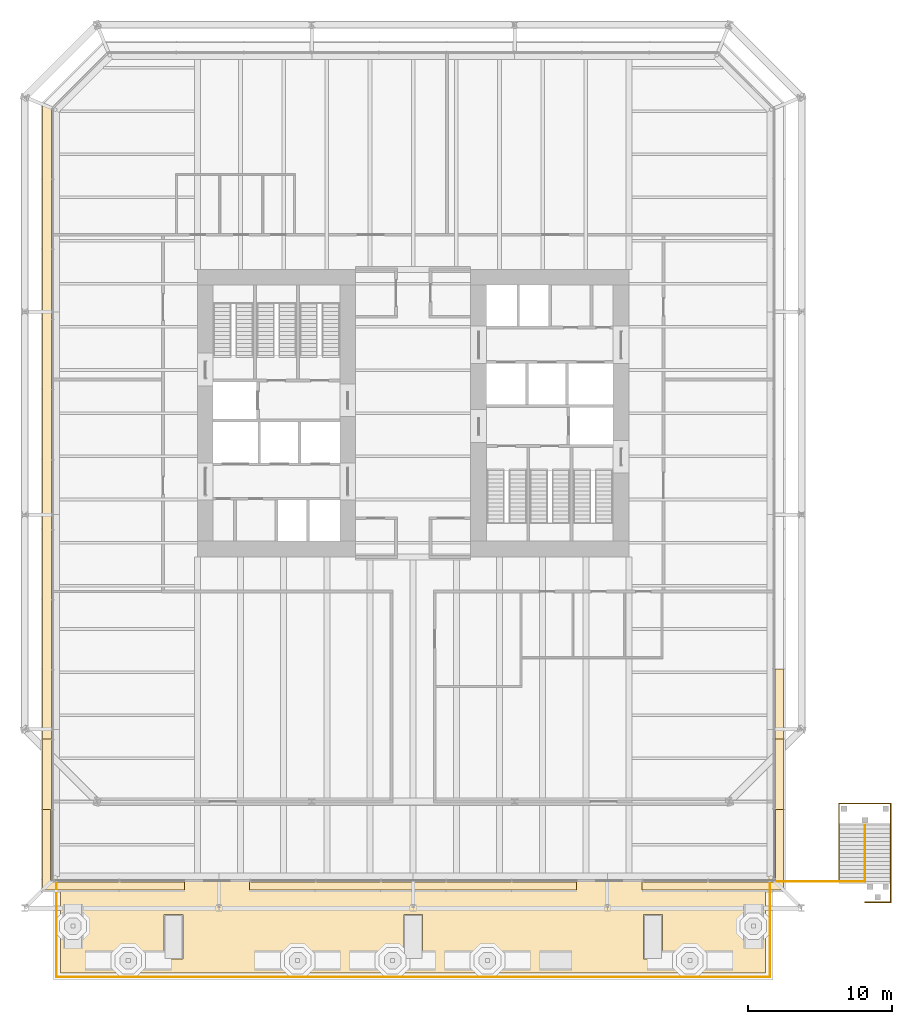
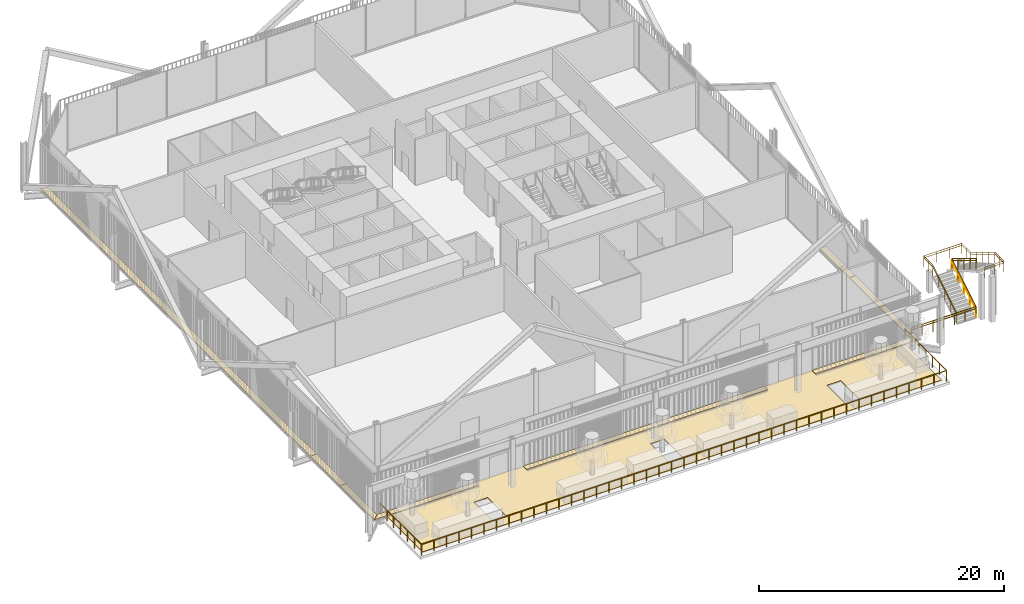
# One storey, part 24 of 26: 10 coverings, 9 railings.
"""IFC4 building model written with IfcOpenShell, lengths in metres."""

from ifc_helpers import new_model, si_unit, direction, frame, origin, origin_2d, place, context, subcontext, project, spatial, polyline, circle, outline, extrude, material, layer, layer_set, type_object, element, save


model = new_model("IFC4")

# Units and contexts
model_context = context("Model", 3, precision=1e-05, world=origin(), true_north=direction((0.0, 1.0)))
body_context = subcontext(model_context, "Body", "Model", "MODEL_VIEW")
ifc_project = project(units=[si_unit("LENGTHUNIT", "METRE"), si_unit("AREAUNIT", "SQUARE_METRE"), si_unit("VOLUMEUNIT", "CUBIC_METRE"), si_unit("PLANEANGLEUNIT", "RADIAN"), si_unit("MASSUNIT", "GRAM", prefix="KILO")], contexts=[model_context])

# Site, building, storey
site_placement = place(None, origin())
site = spatial("IfcSite", under=ifc_project, at=site_placement, CompositionType="ELEMENT")
building_placement = place(site_placement, origin())
building = spatial("IfcBuilding", under=site, at=building_placement, Name="Millrace Tower", CompositionType="ELEMENT")
storey_placement = place(building_placement, frame((0.0, 0.0, 11.300048828125)))
storey = spatial("IfcBuildingStorey", under=building, at=storey_placement, Name="L03", CompositionType="ELEMENT", Elevation=11.300048828125)

# Coverings
ifc_material_1 = material(Name="Steel ASTM A36", Category="steel")
ifc_layer_1 = layer(ifc_material_1, 0.050048828125)
ifc_layer_set_1 = layer_set([ifc_layer_1], Name="Steel ASTM A36")
covering_type_1 = type_object("IfcCoveringType", Name="CAVITY CATWALK steel grating", PredefinedType="FLOORING", material=ifc_layer_set_1)
placement_1 = place(storey_placement, frame((0.0, 0.0, 0.099853515625)))
element("IfcCovering", 1, at=placement_1, inside=storey, type_object=covering_type_1, Name="Cavity catwalk grating AW3-F01 L03 1", PredefinedType="FLOORING", context=body_context, shape_type="SweptSolid", body=[
    extrude(outline(polyline([(-25.75, -33.14990234375), (-15.9091796875, -33.14990234375), (-15.9091796875, -32.60009765625), (-25.199951171875, -32.60009765625), (-25.75, -33.14990234375)])), origin(), (0.0, 0.0, 1.0), 0.050048828125),
])
element("IfcCovering", 2, at=placement_1, inside=storey, type_object=covering_type_1, Name="Cavity catwalk grating AW3-F01 L03 2", PredefinedType="FLOORING", context=body_context, shape_type="SweptSolid", body=[
    extrude(outline(polyline([(-11.363525390625, -33.14990234375), (11.363525390625, -33.14990234375), (11.363525390625, -32.60009765625), (-11.363525390625, -32.60009765625), (-11.363525390625, -33.14990234375)])), origin(), (0.0, 0.0, 1.0), 0.050048828125),
])
element("IfcCovering", 3, at=placement_1, inside=storey, type_object=covering_type_1, Name="Cavity catwalk grating AW3-F01 L03 3", PredefinedType="FLOORING", context=body_context, shape_type="SweptSolid", body=[
    extrude(outline(polyline([(15.9091796875, -33.14990234375), (25.75, -33.14990234375), (25.199951171875, -32.60009765625), (15.9091796875, -32.60009765625), (15.9091796875, -33.14990234375)])), origin(), (0.0, 0.0, 1.0), 0.050048828125),
])
element("IfcCovering", 4, at=placement_1, inside=storey, type_object=covering_type_1, Name="Cavity catwalk grating AW3-F02 L03 1", PredefinedType="FLOORING", context=body_context, shape_type="SweptSolid", body=[
    extrude(outline(polyline([(25.75, -33.14990234375), (25.75, -27.53173828125), (25.199951171875, -27.53173828125), (25.199951171875, -32.60009765625), (25.75, -33.14990234375)])), origin(), (0.0, 0.0, 1.0), 0.050048828125),
])
element("IfcCovering", 5, at=placement_1, inside=storey, type_object=covering_type_1, Name="Cavity catwalk grating AW3-F02 L03 2", PredefinedType="FLOORING", context=body_context, shape_type="SweptSolid", body=[
    extrude(outline(polyline([(25.75, -27.53173828125), (25.75, -22.66357421875), (25.14990234375, -22.66357421875), (25.14990234375, -27.53173828125), (25.75, -27.53173828125)])), origin(), (0.0, 0.0, 1.0), 0.050048828125),
])
element("IfcCovering", 6, at=placement_1, inside=storey, type_object=covering_type_1, Name="Cavity catwalk grating AW3-F02 L03 3", PredefinedType="FLOORING", context=body_context, shape_type="SweptSolid", body=[
    extrude(outline(polyline([(25.75, -22.66357421875), (25.75, -17.79541015625), (25.14990234375, -17.79541015625), (25.14990234375, -22.66357421875), (25.75, -22.66357421875)])), origin(), (0.0, 0.0, 1.0), 0.050048828125),
])
element("IfcCovering", 7, at=placement_1, inside=storey, type_object=covering_type_1, Name="Cavity catwalk grating AW3-F06 L03 1", PredefinedType="FLOORING", context=body_context, shape_type="SweptSolid", body=[
    extrude(outline(polyline([(-25.75, 21.460693359375), (-25.75, -22.66357421875), (-25.14990234375, -22.66357421875), (-25.14990234375, 21.212158203125), (-25.75, 21.460693359375)])), origin(), (0.0, 0.0, 1.0), 0.050048828125),
])
element("IfcCovering", 8, at=placement_1, inside=storey, type_object=covering_type_1, Name="Cavity catwalk grating AW3-F06 L03 2", PredefinedType="FLOORING", context=body_context, shape_type="SweptSolid", body=[
    extrude(outline(polyline([(-25.75, -22.66357421875), (-25.75, -27.53173828125), (-25.14990234375, -27.53173828125), (-25.14990234375, -22.66357421875), (-25.75, -22.66357421875)])), origin(), (0.0, 0.0, 1.0), 0.050048828125),
])
element("IfcCovering", 9, at=placement_1, inside=storey, type_object=covering_type_1, Name="Cavity catwalk grating AW3-F06 L03 3", PredefinedType="FLOORING", context=body_context, shape_type="SweptSolid", body=[
    extrude(outline(polyline([(-25.75, -27.53173828125), (-25.75, -33.14990234375), (-25.199951171875, -32.60009765625), (-25.199951171875, -27.53173828125), (-25.75, -27.53173828125)])), origin(), (0.0, 0.0, 1.0), 0.050048828125),
])

# Railings
ifc_material_2 = material(Name="Stainless steel ASTM A240 type 316", Category="steel")
railing_type_1 = type_object("IfcRailingType", Name="Public stair guard 1100", PredefinedType="GUARDRAIL", material=ifc_material_2)
placement_2 = place(storey_placement, frame((25.300048828125, -32.56005859375, 0.0)))
element("IfcRailing", 10, at=placement_2, inside=storey, type_object=railing_type_1, Name="Public stair guard GD-STAIR-LBN", PredefinedType="GUARDRAIL", context=body_context, shape_type="SweptSolid", body=[
    extrude(circle(Radius=0.02392578125, at=origin_2d()), frame((0.0, 0.0, 1.076171875), z_axis=(1.0, 0.0, 0.0), x_axis=(0.0, 1.0, 0.0)), (0.0, 0.0, 1.0), 6.099853515625),
    extrude(circle(Radius=0.02099609375, at=origin_2d()), origin(), (0.0, 0.0, 1.0), 1.052001953125),
    extrude(circle(Radius=0.02099609375, at=origin_2d()), frame((1.0166015625, 0.0, 0.0)), (0.0, 0.0, 1.0), 1.052001953125),
    extrude(circle(Radius=0.02099609375, at=origin_2d()), frame((2.033203125, 0.0, 0.0)), (0.0, 0.0, 1.0), 1.052001953125),
    extrude(circle(Radius=0.02099609375, at=origin_2d()), frame((3.0498046875, 0.0, 0.0)), (0.0, 0.0, 1.0), 1.052001953125),
    extrude(circle(Radius=0.02099609375, at=origin_2d()), frame((4.066650390625, 0.0, 0.0)), (0.0, 0.0, 1.0), 1.052001953125),
    extrude(circle(Radius=0.02099609375, at=origin_2d()), frame((5.083251953125, 0.0, 0.0)), (0.0, 0.0, 1.0), 1.052001953125),
    extrude(circle(Radius=0.02099609375, at=origin_2d()), frame((6.099853515625, 0.0, 0.0)), (0.0, 0.0, 1.0), 1.052001953125),
])
placement_3 = place(storey_placement, frame((29.60009765625, -32.56005859375, 0.0)))
element("IfcRailing", 11, at=placement_3, inside=storey, type_object=railing_type_1, Name="Public stair guard GD-STAIR-C1", PredefinedType="GUARDRAIL", context=body_context, shape_type="SweptSolid", body=[
    extrude(circle(Radius=0.02392578125, at=origin_2d()), frame((0.0, 0.0, 1.076171875), z_axis=(0.0, 0.852870612257, 0.522122321634), x_axis=(-1.0, 0.0, 0.0)), (0.0, 0.0, 1.0), 4.596435546875),
    extrude(circle(Radius=0.02392578125, at=origin_2d()), frame((0.0, 3.920166015625, 3.47607421875), z_axis=(0.0, 1.0, 0.0), x_axis=(-1.0, 0.0, 0.0)), (0.0, 0.0, 1.0), 1.5),
    extrude(circle(Radius=0.02392578125, at=origin_2d()), frame((0.0, 5.420166015625, 3.47607421875), z_axis=(1.0, 0.0, 0.0), x_axis=(0.0, 1.0, 0.0)), (0.0, 0.0, 1.0), 3.599853515625),
    extrude(circle(Radius=0.02392578125, at=origin_2d()), frame((3.599853515625, 5.420166015625, 3.47607421875), z_axis=(0.0, -1.0, 0.0), x_axis=(1.0, 0.0, 0.0)), (0.0, 0.0, 1.0), 1.5),
    extrude(circle(Radius=0.02392578125, at=origin_2d()), frame((3.599853515625, 3.920166015625, 3.47607421875), z_axis=(0.0, -0.852846959695, 0.522160955394), x_axis=(1.0, 0.0, 0.0)), (0.0, 0.0, 1.0), 4.5966796875),
    extrude(circle(Radius=0.02392578125, at=origin_2d()), frame((3.599853515625, 0.0, 5.8759765625), z_axis=(0.0, -1.0, 0.0), x_axis=(1.0, 0.0, 0.0)), (0.0, 0.0, 1.0), 1.43994140625),
    extrude(circle(Radius=0.02392578125, at=origin_2d()), frame((3.599853515625, -1.43994140625, 5.8759765625), z_axis=(-1.0, 0.0, 0.0), x_axis=(0.0, -1.0, 0.0)), (0.0, 0.0, 1.0), 1.800048828125),
    extrude(circle(Radius=0.02099609375, at=origin_2d()), origin(), (0.0, 0.0, 1.0), 1.052001953125),
    extrude(circle(Radius=0.02099609375, at=origin_2d()), frame((0.0, 0.97998046875, 0.60009765625)), (0.0, 0.0, 1.0), 1.052001953125),
    extrude(circle(Radius=0.02099609375, at=origin_2d()), frame((0.0, 1.9599609375, 1.199951171875)), (0.0, 0.0, 1.0), 1.052001953125),
    extrude(circle(Radius=0.02099609375, at=origin_2d()), frame((0.0, 2.940185546875, 1.7998046875)), (0.0, 0.0, 1.0), 1.052001953125),
    extrude(circle(Radius=0.02099609375, at=origin_2d()), frame((0.0, 3.920166015625, 2.39990234375)), (0.0, 0.0, 1.0), 1.052001953125),
    extrude(circle(Radius=0.02099609375, at=origin_2d()), frame((0.0, 4.670166015625, 2.39990234375)), (0.0, 0.0, 1.0), 1.052001953125),
    extrude(circle(Radius=0.02099609375, at=origin_2d()), frame((0.0, 5.420166015625, 2.39990234375)), (0.0, 0.0, 1.0), 1.052001953125),
    extrude(circle(Radius=0.02099609375, at=origin_2d()), frame((1.199951171875, 5.420166015625, 2.39990234375)), (0.0, 0.0, 1.0), 1.052001953125),
    extrude(circle(Radius=0.02099609375, at=origin_2d()), frame((2.39990234375, 5.420166015625, 2.39990234375)), (0.0, 0.0, 1.0), 1.052001953125),
    extrude(circle(Radius=0.02099609375, at=origin_2d()), frame((3.599853515625, 5.420166015625, 2.39990234375)), (0.0, 0.0, 1.0), 1.052001953125),
    extrude(circle(Radius=0.02099609375, at=origin_2d()), frame((3.599853515625, 4.670166015625, 2.39990234375)), (0.0, 0.0, 1.0), 1.052001953125),
    extrude(circle(Radius=0.02099609375, at=origin_2d()), frame((3.599853515625, 3.920166015625, 2.39990234375)), (0.0, 0.0, 1.0), 1.052001953125),
    extrude(circle(Radius=0.02099609375, at=origin_2d()), frame((3.599853515625, 2.940185546875, 3.0)), (0.0, 0.0, 1.0), 1.052001953125),
    extrude(circle(Radius=0.02099609375, at=origin_2d()), frame((3.599853515625, 1.9599609375, 3.60009765625)), (0.0, 0.0, 1.0), 1.052001953125),
    extrude(circle(Radius=0.02099609375, at=origin_2d()), frame((3.599853515625, 0.97998046875, 4.199951171875)), (0.0, 0.0, 1.0), 1.052001953125),
    extrude(circle(Radius=0.02099609375, at=origin_2d()), frame((3.599853515625, 0.0, 4.800048828125)), (0.0, 0.0, 1.0), 1.052001953125),
    extrude(circle(Radius=0.02099609375, at=origin_2d()), frame((3.599853515625, -0.719970703125, 4.800048828125)), (0.0, 0.0, 1.0), 1.052001953125),
    extrude(circle(Radius=0.02099609375, at=origin_2d()), frame((3.599853515625, -1.43994140625, 4.800048828125)), (0.0, 0.0, 1.0), 1.052001953125),
    extrude(circle(Radius=0.02099609375, at=origin_2d()), frame((2.69970703125, -1.43994140625, 4.800048828125)), (0.0, 0.0, 1.0), 1.052001953125),
    extrude(circle(Radius=0.02099609375, at=origin_2d()), frame((1.7998046875, -1.43994140625, 4.800048828125)), (0.0, 0.0, 1.0), 1.052001953125),
])
placement_4 = place(storey_placement, frame((31.39990234375, -32.56005859375, 0.0)))
element("IfcRailing", 12, at=placement_4, inside=storey, type_object=railing_type_1, Name="Public stair guard GD-STAIR-CD", PredefinedType="GUARDRAIL", context=body_context, shape_type="SweptSolid", body=[
    extrude(circle(Radius=0.02392578125, at=origin_2d()), frame((0.0, 0.0, 1.076171875), z_axis=(0.0, 0.852870612257, 0.522122321634), x_axis=(-1.0, 0.0, 0.0)), (0.0, 0.0, 1.0), 4.596435546875),
    extrude(circle(Radius=0.02099609375, at=origin_2d()), origin(), (0.0, 0.0, 1.0), 1.052001953125),
    extrude(circle(Radius=0.02099609375, at=origin_2d()), frame((0.0, 0.97998046875, 0.60009765625)), (0.0, 0.0, 1.0), 1.052001953125),
    extrude(circle(Radius=0.02099609375, at=origin_2d()), frame((0.0, 1.9599609375, 1.199951171875)), (0.0, 0.0, 1.0), 1.052001953125),
    extrude(circle(Radius=0.02099609375, at=origin_2d()), frame((0.0, 2.940185546875, 1.7998046875)), (0.0, 0.0, 1.0), 1.052001953125),
    extrude(circle(Radius=0.02099609375, at=origin_2d()), frame((0.0, 3.920166015625, 2.39990234375)), (0.0, 0.0, 1.0), 1.052001953125),
])
placement_5 = place(storey_placement, frame((31.39990234375, -28.639892578125, 2.39990234375)))
element("IfcRailing", 13, at=placement_5, inside=storey, type_object=railing_type_1, Name="Public stair guard GD-STAIR-C2", PredefinedType="GUARDRAIL", context=body_context, shape_type="SweptSolid", body=[
    extrude(circle(Radius=0.02392578125, at=origin_2d()), frame((0.0, 0.0, 1.076171875), z_axis=(0.0, -0.852846959695, 0.522160955394), x_axis=(1.0, 0.0, 0.0)), (0.0, 0.0, 1.0), 4.5966796875),
    extrude(circle(Radius=0.02099609375, at=origin_2d()), origin(), (0.0, 0.0, 1.0), 1.052001953125),
    extrude(circle(Radius=0.02099609375, at=origin_2d()), frame((0.0, -0.97998046875, 0.60009765625)), (0.0, 0.0, 1.0), 1.052001953125),
    extrude(circle(Radius=0.02099609375, at=origin_2d()), frame((0.0, -1.9599609375, 1.2001953125)), (0.0, 0.0, 1.0), 1.052001953125),
    extrude(circle(Radius=0.02099609375, at=origin_2d()), frame((0.0, -2.940185546875, 1.800048828125)), (0.0, 0.0, 1.0), 1.052001953125),
    extrude(circle(Radius=0.02099609375, at=origin_2d()), frame((0.0, -3.920166015625, 2.400146484375)), (0.0, 0.0, 1.0), 1.052001953125),
])
ifc_material_3 = material(Name="Stainless steel ASTM A240 type 316", Category="steel")
railing_type_2 = type_object("IfcRailingType", Name="Public stair handrail 900", PredefinedType="HANDRAIL", material=ifc_material_3)
element("IfcRailing", 14, at=placement_2, inside=storey, type_object=railing_type_2, Name="Public stair handrail HR-STAIR-LBN", PredefinedType="HANDRAIL", context=body_context, shape_type="SweptSolid", body=[
    extrude(circle(Radius=0.02392578125, at=origin_2d()), frame((0.0, 0.0, 0.8759765625), z_axis=(1.0, 0.0, 0.0), x_axis=(0.0, 1.0, 0.0)), (0.0, 0.0, 1.0), 6.099853515625),
    extrude(circle(Radius=0.02099609375, at=origin_2d()), origin(), (0.0, 0.0, 1.0), 0.851806640625),
    extrude(circle(Radius=0.02099609375, at=origin_2d()), frame((1.0166015625, 0.0, 0.0)), (0.0, 0.0, 1.0), 0.851806640625),
    extrude(circle(Radius=0.02099609375, at=origin_2d()), frame((2.033203125, 0.0, 0.0)), (0.0, 0.0, 1.0), 0.851806640625),
    extrude(circle(Radius=0.02099609375, at=origin_2d()), frame((3.0498046875, 0.0, 0.0)), (0.0, 0.0, 1.0), 0.851806640625),
    extrude(circle(Radius=0.02099609375, at=origin_2d()), frame((4.066650390625, 0.0, 0.0)), (0.0, 0.0, 1.0), 0.851806640625),
    extrude(circle(Radius=0.02099609375, at=origin_2d()), frame((5.083251953125, 0.0, 0.0)), (0.0, 0.0, 1.0), 0.851806640625),
    extrude(circle(Radius=0.02099609375, at=origin_2d()), frame((6.099853515625, 0.0, 0.0)), (0.0, 0.0, 1.0), 0.851806640625),
])
element("IfcRailing", 15, at=placement_3, inside=storey, type_object=railing_type_2, Name="Public stair handrail HR-STAIR-C1", PredefinedType="HANDRAIL", context=body_context, shape_type="SweptSolid", body=[
    extrude(circle(Radius=0.02392578125, at=origin_2d()), frame((0.0, 0.0, 0.8759765625), z_axis=(0.0, 0.852870612257, 0.522122321634), x_axis=(-1.0, 0.0, 0.0)), (0.0, 0.0, 1.0), 4.596435546875),
    extrude(circle(Radius=0.02392578125, at=origin_2d()), frame((0.0, 3.920166015625, 3.27587890625), z_axis=(0.0, 1.0, 0.0), x_axis=(-1.0, 0.0, 0.0)), (0.0, 0.0, 1.0), 1.5),
    extrude(circle(Radius=0.02392578125, at=origin_2d()), frame((0.0, 5.420166015625, 3.27587890625), z_axis=(1.0, 0.0, 0.0), x_axis=(0.0, 1.0, 0.0)), (0.0, 0.0, 1.0), 3.599853515625),
    extrude(circle(Radius=0.02392578125, at=origin_2d()), frame((3.599853515625, 5.420166015625, 3.27587890625), z_axis=(0.0, -1.0, 0.0), x_axis=(1.0, 0.0, 0.0)), (0.0, 0.0, 1.0), 1.5),
    extrude(circle(Radius=0.02392578125, at=origin_2d()), frame((3.599853515625, 3.920166015625, 3.27587890625), z_axis=(0.0, -0.852846959695, 0.522160955394), x_axis=(1.0, 0.0, 0.0)), (0.0, 0.0, 1.0), 4.5966796875),
    extrude(circle(Radius=0.02392578125, at=origin_2d()), frame((3.599853515625, 0.0, 5.67578125), z_axis=(0.0, -1.0, 0.0), x_axis=(1.0, 0.0, 0.0)), (0.0, 0.0, 1.0), 1.43994140625),
    extrude(circle(Radius=0.02392578125, at=origin_2d()), frame((3.599853515625, -1.43994140625, 5.67578125), z_axis=(-1.0, 0.0, 0.0), x_axis=(0.0, -1.0, 0.0)), (0.0, 0.0, 1.0), 1.800048828125),
    extrude(circle(Radius=0.02099609375, at=origin_2d()), origin(), (0.0, 0.0, 1.0), 0.851806640625),
    extrude(circle(Radius=0.02099609375, at=origin_2d()), frame((0.0, 0.97998046875, 0.60009765625)), (0.0, 0.0, 1.0), 0.851806640625),
    extrude(circle(Radius=0.02099609375, at=origin_2d()), frame((0.0, 1.9599609375, 1.199951171875)), (0.0, 0.0, 1.0), 0.851806640625),
    extrude(circle(Radius=0.02099609375, at=origin_2d()), frame((0.0, 2.940185546875, 1.7998046875)), (0.0, 0.0, 1.0), 0.851806640625),
    extrude(circle(Radius=0.02099609375, at=origin_2d()), frame((0.0, 3.920166015625, 2.39990234375)), (0.0, 0.0, 1.0), 0.851806640625),
    extrude(circle(Radius=0.02099609375, at=origin_2d()), frame((0.0, 4.670166015625, 2.39990234375)), (0.0, 0.0, 1.0), 0.851806640625),
    extrude(circle(Radius=0.02099609375, at=origin_2d()), frame((0.0, 5.420166015625, 2.39990234375)), (0.0, 0.0, 1.0), 0.851806640625),
    extrude(circle(Radius=0.02099609375, at=origin_2d()), frame((1.199951171875, 5.420166015625, 2.39990234375)), (0.0, 0.0, 1.0), 0.851806640625),
    extrude(circle(Radius=0.02099609375, at=origin_2d()), frame((2.39990234375, 5.420166015625, 2.39990234375)), (0.0, 0.0, 1.0), 0.851806640625),
    extrude(circle(Radius=0.02099609375, at=origin_2d()), frame((3.599853515625, 5.420166015625, 2.39990234375)), (0.0, 0.0, 1.0), 0.851806640625),
    extrude(circle(Radius=0.02099609375, at=origin_2d()), frame((3.599853515625, 4.670166015625, 2.39990234375)), (0.0, 0.0, 1.0), 0.851806640625),
    extrude(circle(Radius=0.02099609375, at=origin_2d()), frame((3.599853515625, 3.920166015625, 2.39990234375)), (0.0, 0.0, 1.0), 0.851806640625),
    extrude(circle(Radius=0.02099609375, at=origin_2d()), frame((3.599853515625, 2.940185546875, 3.0)), (0.0, 0.0, 1.0), 0.851806640625),
    extrude(circle(Radius=0.02099609375, at=origin_2d()), frame((3.599853515625, 1.9599609375, 3.60009765625)), (0.0, 0.0, 1.0), 0.851806640625),
    extrude(circle(Radius=0.02099609375, at=origin_2d()), frame((3.599853515625, 0.97998046875, 4.199951171875)), (0.0, 0.0, 1.0), 0.851806640625),
    extrude(circle(Radius=0.02099609375, at=origin_2d()), frame((3.599853515625, 0.0, 4.800048828125)), (0.0, 0.0, 1.0), 0.851806640625),
    extrude(circle(Radius=0.02099609375, at=origin_2d()), frame((3.599853515625, -0.719970703125, 4.800048828125)), (0.0, 0.0, 1.0), 0.851806640625),
    extrude(circle(Radius=0.02099609375, at=origin_2d()), frame((3.599853515625, -1.43994140625, 4.800048828125)), (0.0, 0.0, 1.0), 0.851806640625),
    extrude(circle(Radius=0.02099609375, at=origin_2d()), frame((2.69970703125, -1.43994140625, 4.800048828125)), (0.0, 0.0, 1.0), 0.851806640625),
    extrude(circle(Radius=0.02099609375, at=origin_2d()), frame((1.7998046875, -1.43994140625, 4.800048828125)), (0.0, 0.0, 1.0), 0.851806640625),
])
element("IfcRailing", 16, at=placement_4, inside=storey, type_object=railing_type_2, Name="Public stair handrail HR-STAIR-CD", PredefinedType="HANDRAIL", context=body_context, shape_type="SweptSolid", body=[
    extrude(circle(Radius=0.02392578125, at=origin_2d()), frame((0.0, 0.0, 0.8759765625), z_axis=(0.0, 0.852870612257, 0.522122321634), x_axis=(-1.0, 0.0, 0.0)), (0.0, 0.0, 1.0), 4.596435546875),
    extrude(circle(Radius=0.02099609375, at=origin_2d()), origin(), (0.0, 0.0, 1.0), 0.851806640625),
    extrude(circle(Radius=0.02099609375, at=origin_2d()), frame((0.0, 0.97998046875, 0.60009765625)), (0.0, 0.0, 1.0), 0.851806640625),
    extrude(circle(Radius=0.02099609375, at=origin_2d()), frame((0.0, 1.9599609375, 1.199951171875)), (0.0, 0.0, 1.0), 0.851806640625),
    extrude(circle(Radius=0.02099609375, at=origin_2d()), frame((0.0, 2.940185546875, 1.7998046875)), (0.0, 0.0, 1.0), 0.851806640625),
    extrude(circle(Radius=0.02099609375, at=origin_2d()), frame((0.0, 3.920166015625, 2.39990234375)), (0.0, 0.0, 1.0), 0.851806640625),
])
element("IfcRailing", 17, at=placement_5, inside=storey, type_object=railing_type_2, Name="Public stair handrail HR-STAIR-C2", PredefinedType="HANDRAIL", context=body_context, shape_type="SweptSolid", body=[
    extrude(circle(Radius=0.02392578125, at=origin_2d()), frame((0.0, 0.0, 0.8759765625), z_axis=(0.0, -0.852846959695, 0.522160955394), x_axis=(1.0, 0.0, 0.0)), (0.0, 0.0, 1.0), 4.5966796875),
    extrude(circle(Radius=0.02099609375, at=origin_2d()), origin(), (0.0, 0.0, 1.0), 0.851806640625),
    extrude(circle(Radius=0.02099609375, at=origin_2d()), frame((0.0, -0.97998046875, 0.60009765625)), (0.0, 0.0, 1.0), 0.851806640625),
    extrude(circle(Radius=0.02099609375, at=origin_2d()), frame((0.0, -1.9599609375, 1.2001953125)), (0.0, 0.0, 1.0), 0.851806640625),
    extrude(circle(Radius=0.02099609375, at=origin_2d()), frame((0.0, -2.940185546875, 1.800048828125)), (0.0, 0.0, 1.0), 0.851806640625),
    extrude(circle(Radius=0.02099609375, at=origin_2d()), frame((0.0, -3.920166015625, 2.400146484375)), (0.0, 0.0, 1.0), 0.851806640625),
])

# Covering
ifc_material_4 = material(Name="Bituminous roofing membrane on rigid insulation")
ifc_layer_2 = layer(ifc_material_4, 0.0400390625)
ifc_layer_set_2 = layer_set([ifc_layer_2], Name="Bituminous roofing membrane on rigid insulation")
covering_type_2 = type_object("IfcCoveringType", Name="Roofing membrane and insulation 40 mm", PredefinedType="ROOFING", material=ifc_layer_set_2)
covering_10_placement = place(storey_placement, frame((0.0, 0.0, -0.0400390625)))
element("IfcCovering", 18, at=covering_10_placement, inside=storey, type_object=covering_type_2, Name="Roofing membrane and insulation CT-L02-1", PredefinedType="ROOFING", context=body_context, shape_type="SweptSolid", body=[
    extrude(outline(polyline([(-24.5, -38.89990234375), (24.5, -38.89990234375), (24.5, -32.39990234375), (-24.5, -32.39990234375), (-24.5, -38.89990234375)]), holes=[polyline([(-17.316650390625, -37.949951171875), (-16.0166015625, -37.949951171875), (-16.0166015625, -34.85009765625), (-17.316650390625, -34.85009765625), (-17.316650390625, -37.949951171875)]), polyline([(-0.64990234375, -37.949951171875), (0.64990234375, -37.949951171875), (0.64990234375, -34.85009765625), (-0.64990234375, -34.85009765625), (-0.64990234375, -37.949951171875)]), polyline([(16.0166015625, -37.949951171875), (17.316650390625, -37.949951171875), (17.316650390625, -34.85009765625), (16.0166015625, -34.85009765625), (16.0166015625, -37.949951171875)])]), origin(), (0.0, 0.0, 1.0), 0.0400390625),
])

# Railing
ifc_material_5 = material(Name="Stainless steel ASTM A240 type 316", Category="steel")
railing_type_3 = type_object("IfcRailingType", Name="Terrace guard 1100", PredefinedType="GUARDRAIL", material=ifc_material_5)
railing_9_placement = place(storey_placement, frame((-24.800048828125, -32.39990234375, -0.0400390625)))
element("IfcRailing", 19, at=railing_9_placement, inside=storey, type_object=railing_type_3, Name="Terrace guard CT-L02-1 1", PredefinedType="GUARDRAIL", context=body_context, shape_type="SweptSolid", body=[
    extrude(circle(Radius=0.02392578125, at=origin_2d()), frame((0.0, 0.0, 1.076171875), z_axis=(0.0, -1.0, 0.0), x_axis=(1.0, 0.0, 0.0)), (0.0, 0.0, 1.0), 6.800048828125),
    extrude(circle(Radius=0.02392578125, at=origin_2d()), frame((0.0, -6.800048828125, 1.076171875), z_axis=(1.0, 0.0, 0.0), x_axis=(0.0, 1.0, 0.0)), (0.0, 0.0, 1.0), 49.60009765625),
    extrude(circle(Radius=0.02392578125, at=origin_2d()), frame((49.60009765625, -6.800048828125, 1.076171875), z_axis=(0.0, 1.0, 0.0), x_axis=(-1.0, 0.0, 0.0)), (0.0, 0.0, 1.0), 6.800048828125),
    extrude(circle(Radius=0.02099609375, at=origin_2d()), origin(), (0.0, 0.0, 1.0), 1.052001953125),
    extrude(circle(Radius=0.02099609375, at=origin_2d()), frame((0.0, -1.13330078125, 0.0)), (0.0, 0.0, 1.0), 1.052001953125),
    extrude(circle(Radius=0.02099609375, at=origin_2d()), frame((0.0, -2.2666015625, 0.0)), (0.0, 0.0, 1.0), 1.052001953125),
    extrude(circle(Radius=0.02099609375, at=origin_2d()), frame((0.0, -3.39990234375, 0.0)), (0.0, 0.0, 1.0), 1.052001953125),
    extrude(circle(Radius=0.02099609375, at=origin_2d()), frame((0.0, -4.533447265625, 0.0)), (0.0, 0.0, 1.0), 1.052001953125),
    extrude(circle(Radius=0.02099609375, at=origin_2d()), frame((0.0, -5.666748046875, 0.0)), (0.0, 0.0, 1.0), 1.052001953125),
    extrude(circle(Radius=0.02099609375, at=origin_2d()), frame((0.0, -6.800048828125, 0.0)), (0.0, 0.0, 1.0), 1.052001953125),
    extrude(circle(Radius=0.02099609375, at=origin_2d()), frame((1.180908203125, -6.800048828125, 0.0)), (0.0, 0.0, 1.0), 1.052001953125),
    extrude(circle(Radius=0.02099609375, at=origin_2d()), frame((2.36181640625, -6.800048828125, 0.0)), (0.0, 0.0, 1.0), 1.052001953125),
    extrude(circle(Radius=0.02099609375, at=origin_2d()), frame((3.54296875, -6.800048828125, 0.0)), (0.0, 0.0, 1.0), 1.052001953125),
    extrude(circle(Radius=0.02099609375, at=origin_2d()), frame((4.723876953125, -6.800048828125, 0.0)), (0.0, 0.0, 1.0), 1.052001953125),
    extrude(circle(Radius=0.02099609375, at=origin_2d()), frame((5.90478515625, -6.800048828125, 0.0)), (0.0, 0.0, 1.0), 1.052001953125),
    extrude(circle(Radius=0.02099609375, at=origin_2d()), frame((7.085693359375, -6.800048828125, 0.0)), (0.0, 0.0, 1.0), 1.052001953125),
    extrude(circle(Radius=0.02099609375, at=origin_2d()), frame((8.2666015625, -6.800048828125, 0.0)), (0.0, 0.0, 1.0), 1.052001953125),
    extrude(circle(Radius=0.02099609375, at=origin_2d()), frame((9.44775390625, -6.800048828125, 0.0)), (0.0, 0.0, 1.0), 1.052001953125),
    extrude(circle(Radius=0.02099609375, at=origin_2d()), frame((10.628662109375, -6.800048828125, 0.0)), (0.0, 0.0, 1.0), 1.052001953125),
    extrude(circle(Radius=0.02099609375, at=origin_2d()), frame((11.8095703125, -6.800048828125, 0.0)), (0.0, 0.0, 1.0), 1.052001953125),
    extrude(circle(Radius=0.02099609375, at=origin_2d()), frame((12.990478515625, -6.800048828125, 0.0)), (0.0, 0.0, 1.0), 1.052001953125),
    extrude(circle(Radius=0.02099609375, at=origin_2d()), frame((14.17138671875, -6.800048828125, 0.0)), (0.0, 0.0, 1.0), 1.052001953125),
    extrude(circle(Radius=0.02099609375, at=origin_2d()), frame((15.352294921875, -6.800048828125, 0.0)), (0.0, 0.0, 1.0), 1.052001953125),
    extrude(circle(Radius=0.02099609375, at=origin_2d()), frame((16.533447265625, -6.800048828125, 0.0)), (0.0, 0.0, 1.0), 1.052001953125),
    extrude(circle(Radius=0.02099609375, at=origin_2d()), frame((17.71435546875, -6.800048828125, 0.0)), (0.0, 0.0, 1.0), 1.052001953125),
    extrude(circle(Radius=0.02099609375, at=origin_2d()), frame((18.895263671875, -6.800048828125, 0.0)), (0.0, 0.0, 1.0), 1.052001953125),
    extrude(circle(Radius=0.02099609375, at=origin_2d()), frame((20.076171875, -6.800048828125, 0.0)), (0.0, 0.0, 1.0), 1.052001953125),
    extrude(circle(Radius=0.02099609375, at=origin_2d()), frame((21.257080078125, -6.800048828125, 0.0)), (0.0, 0.0, 1.0), 1.052001953125),
    extrude(circle(Radius=0.02099609375, at=origin_2d()), frame((22.438232421875, -6.800048828125, 0.0)), (0.0, 0.0, 1.0), 1.052001953125),
    extrude(circle(Radius=0.02099609375, at=origin_2d()), frame((23.619140625, -6.800048828125, 0.0)), (0.0, 0.0, 1.0), 1.052001953125),
    extrude(circle(Radius=0.02099609375, at=origin_2d()), frame((24.800048828125, -6.800048828125, 0.0)), (0.0, 0.0, 1.0), 1.052001953125),
    extrude(circle(Radius=0.02099609375, at=origin_2d()), frame((25.98095703125, -6.800048828125, 0.0)), (0.0, 0.0, 1.0), 1.052001953125),
    extrude(circle(Radius=0.02099609375, at=origin_2d()), frame((27.161865234375, -6.800048828125, 0.0)), (0.0, 0.0, 1.0), 1.052001953125),
    extrude(circle(Radius=0.02099609375, at=origin_2d()), frame((28.343017578125, -6.800048828125, 0.0)), (0.0, 0.0, 1.0), 1.052001953125),
    extrude(circle(Radius=0.02099609375, at=origin_2d()), frame((29.52392578125, -6.800048828125, 0.0)), (0.0, 0.0, 1.0), 1.052001953125),
    extrude(circle(Radius=0.02099609375, at=origin_2d()), frame((30.704833984375, -6.800048828125, 0.0)), (0.0, 0.0, 1.0), 1.052001953125),
    extrude(circle(Radius=0.02099609375, at=origin_2d()), frame((31.8857421875, -6.800048828125, 0.0)), (0.0, 0.0, 1.0), 1.052001953125),
    extrude(circle(Radius=0.02099609375, at=origin_2d()), frame((33.066650390625, -6.800048828125, 0.0)), (0.0, 0.0, 1.0), 1.052001953125),
    extrude(circle(Radius=0.02099609375, at=origin_2d()), frame((34.247802734375, -6.800048828125, 0.0)), (0.0, 0.0, 1.0), 1.052001953125),
    extrude(circle(Radius=0.02099609375, at=origin_2d()), frame((35.4287109375, -6.800048828125, 0.0)), (0.0, 0.0, 1.0), 1.052001953125),
    extrude(circle(Radius=0.02099609375, at=origin_2d()), frame((36.609619140625, -6.800048828125, 0.0)), (0.0, 0.0, 1.0), 1.052001953125),
    extrude(circle(Radius=0.02099609375, at=origin_2d()), frame((37.79052734375, -6.800048828125, 0.0)), (0.0, 0.0, 1.0), 1.052001953125),
    extrude(circle(Radius=0.02099609375, at=origin_2d()), frame((38.971435546875, -6.800048828125, 0.0)), (0.0, 0.0, 1.0), 1.052001953125),
    extrude(circle(Radius=0.02099609375, at=origin_2d()), frame((40.15234375, -6.800048828125, 0.0)), (0.0, 0.0, 1.0), 1.052001953125),
    extrude(circle(Radius=0.02099609375, at=origin_2d()), frame((41.33349609375, -6.800048828125, 0.0)), (0.0, 0.0, 1.0), 1.052001953125),
    extrude(circle(Radius=0.02099609375, at=origin_2d()), frame((42.514404296875, -6.800048828125, 0.0)), (0.0, 0.0, 1.0), 1.052001953125),
    extrude(circle(Radius=0.02099609375, at=origin_2d()), frame((43.6953125, -6.800048828125, 0.0)), (0.0, 0.0, 1.0), 1.052001953125),
    extrude(circle(Radius=0.02099609375, at=origin_2d()), frame((44.876220703125, -6.800048828125, 0.0)), (0.0, 0.0, 1.0), 1.052001953125),
    extrude(circle(Radius=0.02099609375, at=origin_2d()), frame((46.05712890625, -6.800048828125, 0.0)), (0.0, 0.0, 1.0), 1.052001953125),
    extrude(circle(Radius=0.02099609375, at=origin_2d()), frame((47.23828125, -6.800048828125, 0.0)), (0.0, 0.0, 1.0), 1.052001953125),
    extrude(circle(Radius=0.02099609375, at=origin_2d()), frame((48.419189453125, -6.800048828125, 0.0)), (0.0, 0.0, 1.0), 1.052001953125),
    extrude(circle(Radius=0.02099609375, at=origin_2d()), frame((49.60009765625, -6.800048828125, 0.0)), (0.0, 0.0, 1.0), 1.052001953125),
    extrude(circle(Radius=0.02099609375, at=origin_2d()), frame((49.60009765625, -5.666748046875, 0.0)), (0.0, 0.0, 1.0), 1.052001953125),
    extrude(circle(Radius=0.02099609375, at=origin_2d()), frame((49.60009765625, -4.533447265625, 0.0)), (0.0, 0.0, 1.0), 1.052001953125),
    extrude(circle(Radius=0.02099609375, at=origin_2d()), frame((49.60009765625, -3.39990234375, 0.0)), (0.0, 0.0, 1.0), 1.052001953125),
    extrude(circle(Radius=0.02099609375, at=origin_2d()), frame((49.60009765625, -2.2666015625, 0.0)), (0.0, 0.0, 1.0), 1.052001953125),
    extrude(circle(Radius=0.02099609375, at=origin_2d()), frame((49.60009765625, -1.13330078125, 0.0)), (0.0, 0.0, 1.0), 1.052001953125),
    extrude(circle(Radius=0.02099609375, at=origin_2d()), frame((49.60009765625, 0.0, 0.0)), (0.0, 0.0, 1.0), 1.052001953125),
])

save(model, "model.ifc")
